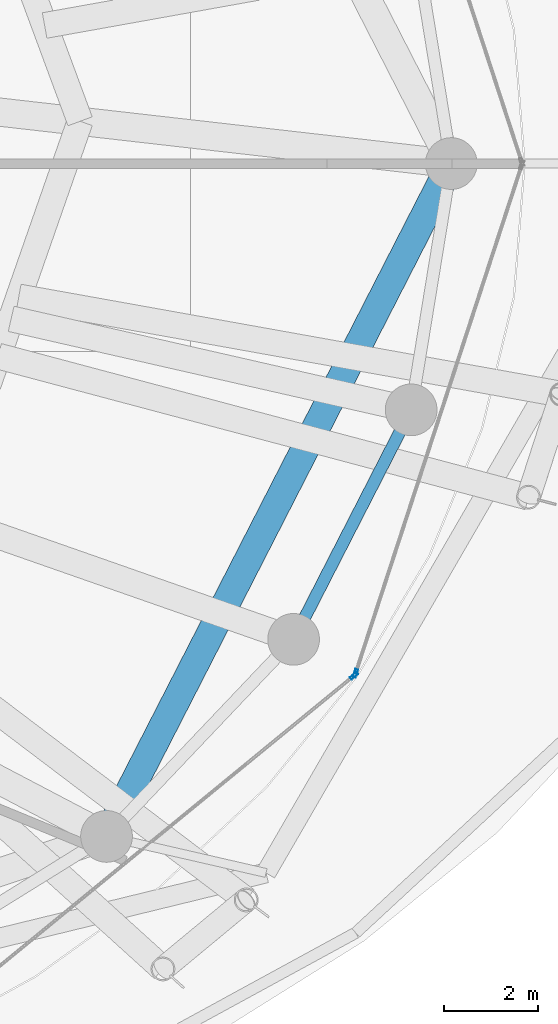
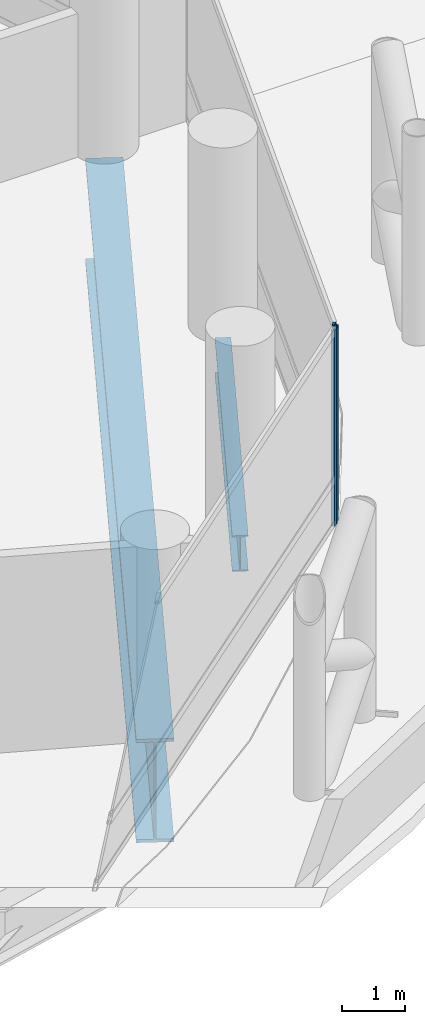
# One storey, part 14 of 37: 2 beams, 2 members, 2 elements without a shape of their own.
"""IFC4 building model written with IfcOpenShell, lengths in metres."""

from ifc_helpers import new_model, si_unit, direction, frame, origin, origin_2d, place, context, subcontext, project, spatial, hollow_rectangle, i_section, extrude, material, layer, layer_set, material_profile, profile_set, type_object, element, aggregate, save


model = new_model("IFC4")

# Units and contexts
model_context = context("Model", 3, precision=1e-05, world=origin(), true_north=direction((0.0, 1.0)))
body_context = subcontext(model_context, "Body", "Model", "MODEL_VIEW")
ifc_project = project(units=[si_unit("LENGTHUNIT", "METRE"), si_unit("AREAUNIT", "SQUARE_METRE"), si_unit("VOLUMEUNIT", "CUBIC_METRE"), si_unit("PLANEANGLEUNIT", "RADIAN"), si_unit("MASSUNIT", "GRAM", prefix="KILO")], contexts=[model_context])

# Site, building, storey
site_placement = place(None, origin())
site = spatial("IfcSite", under=ifc_project, at=site_placement, CompositionType="ELEMENT")
building_placement = place(site_placement, origin())
building = spatial("IfcBuilding", under=site, at=building_placement, Name="Nuhasar Tower", CompositionType="ELEMENT")
storey_placement = place(building_placement, frame((0.0, 0.0, 21.0)))
storey = spatial("IfcBuildingStorey", under=building, at=storey_placement, Name="L04", CompositionType="ELEMENT", Elevation=21.0)

# Beams
ifc_material_1 = material(Name="Steel S355", Category="steel")
ifc_material_profile_1 = material_profile(ifc_material_1, i_section(OverallWidth=0.256103515625, OverallDepth=0.693115234375, WebThickness=0.014404296875, FlangeThickness=0.023681640625, at=origin_2d()), Name="W27X114")
ifc_profile_set_1 = profile_set([ifc_material_profile_1], Name="Steel S355")
beam_type_1 = type_object("IfcBeamType", Name="BM-RING-W27X114", PredefinedType="SPANDREL", material=ifc_profile_set_1)
beam_1_placement = place(storey_placement, frame((60.694091796875, 16.675048828125, -0.60693359375), z_axis=(0.455930023905, 0.890015625314, 0.0), x_axis=(-0.890015625314, 0.455930023905, 0.0)))
element("IfcBeam", 1, at=beam_1_placement, inside=storey, type_object=beam_type_1, Name="L04 Perimeter Ring Spandrel 23", PredefinedType="SPANDREL", context=body_context, shape_type="SweptSolid", body=[
    extrude(i_section(OverallWidth=0.256103515625, OverallDepth=0.693115234375, WebThickness=0.014404296875, FlangeThickness=0.023681640625, at=origin_2d()), origin(), (0.0, 0.0, 1.0), 5.487548828125),
])
ifc_material_2 = material(Name="Steel S460", Category="steel")
ifc_material_profile_2 = material_profile(ifc_material_2, i_section(OverallWidth=0.60009765625, OverallDepth=2.0, WebThickness=0.035888671875, FlangeThickness=0.06005859375, at=origin_2d()), Name="PG2000X600")
ifc_profile_set_2 = profile_set([ifc_material_profile_2], Name="Steel S460")
beam_type_2 = type_object("IfcBeamType", Name="BM-XFER-PG2000", PredefinedType="USERDEFINED", material=ifc_profile_set_2)
beam_2_placement = place(storey_placement, frame((56.712890625, 12.48095703125, -1.260009765625), z_axis=(0.456023040981, 0.88996796914, 0.0), x_axis=(-0.88996796914, 0.456023040981, 0.0)))
element("IfcBeam", 2, at=beam_2_placement, inside=storey, type_object=beam_type_2, Name="L04 Podium-to-Tower Transfer Chord 03", ObjectType="GIRDER", PredefinedType="USERDEFINED", context=body_context, shape_type="SweptSolid", body=[
    extrude(i_section(OverallWidth=0.60009765625, OverallDepth=2.0, WebThickness=0.035888671875, FlangeThickness=0.06005859375, at=origin_2d()), origin(), (0.0, 0.0, 1.0), 16.08935546875),
])

# Curtain wall, member
ifc_material_3 = material(Name="Aluminium 6063-T6", Category="aluminium")
ifc_layer = layer(ifc_material_3, 0.199951171875)
ifc_layer_set = layer_set([ifc_layer], Name="Aluminium 6063-T6")
curtain_wall_type = type_object("IfcCurtainWallType", Name="CW-Z1-OFF", PredefinedType="NOTDEFINED", material=ifc_layer_set)
curtain_wall_1_placement = place(storey_placement, origin())
curtain_wall_1 = element("IfcCurtainWall", 3, at=curtain_wall_1_placement, inside=storey, type_object=curtain_wall_type, Name="L04 Unitised Curtain Wall 11", PredefinedType="NOTDEFINED")
ifc_material_profile_3 = material_profile(ifc_material_3, hollow_rectangle(XDim=0.06494140625, YDim=0.179931640625, WallThickness=0.0048828125, at=origin_2d()), Name="CWM-2")
ifc_profile_set_3 = profile_set([ifc_material_profile_3], Name="Aluminium 6063-T6")
member_type = type_object("IfcMemberType", Name="CW-MUL-S2", PredefinedType="MULLION", material=ifc_profile_set_3)
member_1_placement = place(storey_placement, frame((61.976806640625, 15.8994140625, 0.0), z_axis=(0.0, 0.0, 1.0), x_axis=(-0.633744593376, 0.773542364946, 0.0)))
member_1 = element("IfcMember", 4, at=member_1_placement, type_object=member_type, Name="CW-Z1 mullion 2", PredefinedType="MULLION", context=body_context, shape_type="SweptSolid", body=[
    extrude(hollow_rectangle(XDim=0.06494140625, YDim=0.179931640625, WallThickness=0.0048828125, at=origin_2d()), origin(), (0.0, 0.0, 1.0), 3.7900390625),
])
aggregate(curtain_wall_1, [member_1])

curtain_wall_2_placement = place(storey_placement, origin())
curtain_wall_2 = element("IfcCurtainWall", 5, at=curtain_wall_2_placement, inside=storey, type_object=curtain_wall_type, Name="L04 Unitised Curtain Wall 12", PredefinedType="NOTDEFINED")
member_2_placement = place(storey_placement, frame((62.01220703125, 15.950927734375, 0.0), z_axis=(0.0, 0.0, 1.0), x_axis=(-0.950467534571, 0.310823849997, 0.0)))
member_2 = element("IfcMember", 6, at=member_2_placement, type_object=member_type, Name="CW-Z1 mullion 1", PredefinedType="MULLION", context=body_context, shape_type="SweptSolid", body=[
    extrude(hollow_rectangle(XDim=0.06494140625, YDim=0.179931640625, WallThickness=0.0048828125, at=origin_2d()), origin(), (0.0, 0.0, 1.0), 3.7900390625),
])
aggregate(curtain_wall_2, [member_2])

save(model, "model.ifc")
